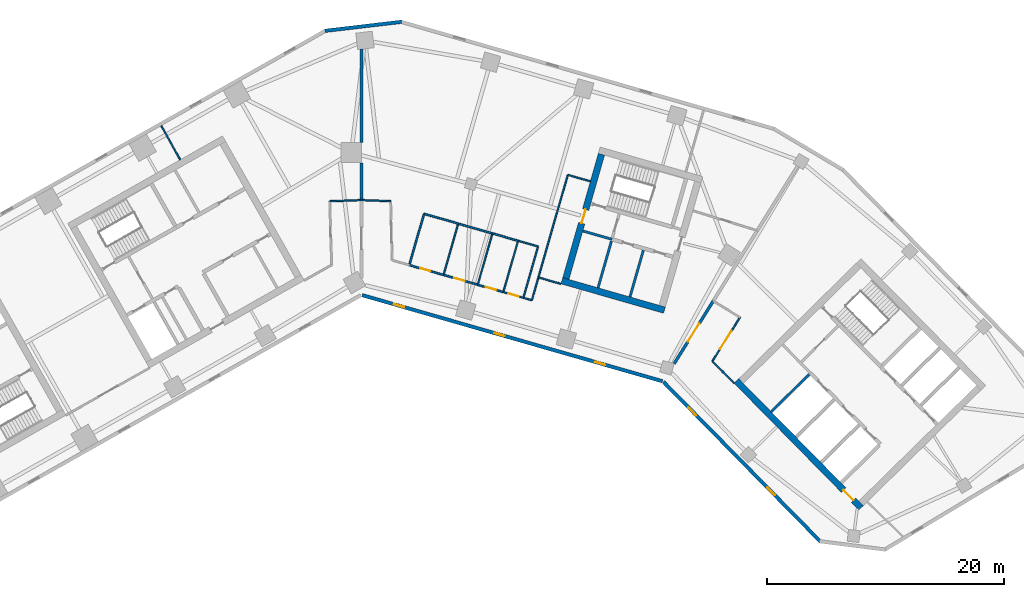
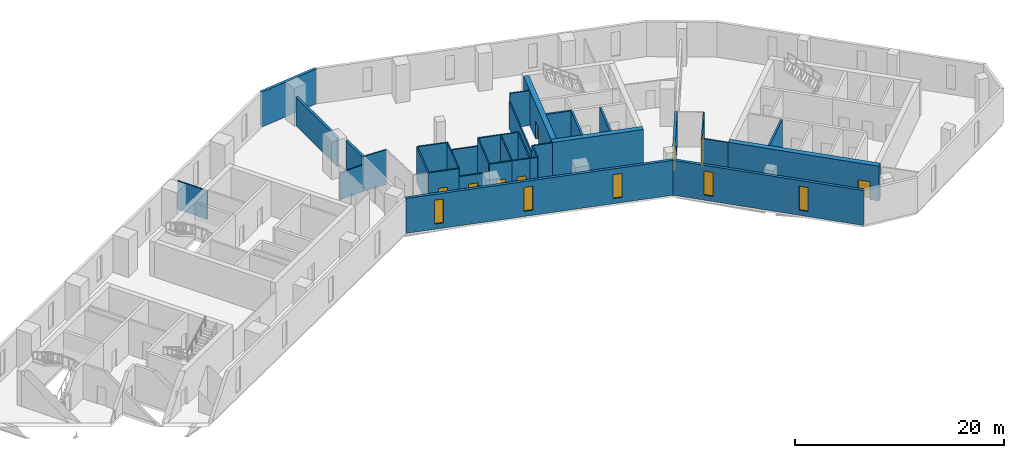
# One storey, part 5 of 10: 36 walls, 8 doors, 5 windows, 13 openings.
"""IFC4 building model written with IfcOpenShell, lengths in metres."""

from ifc_helpers import new_model, si_unit, direction, frame, frame_2d, origin, place, context, subcontext, project, spatial, rectangle, extrude, material, layer, layer_set, type_object, element, fill, save


model = new_model("IFC4")

# Units and contexts
model_context = context("Model", 3, precision=1e-05, world=origin(), true_north=direction((0.0, 1.0)))
body_context = subcontext(model_context, "Body", "Model", "MODEL_VIEW")
ifc_project = project(units=[si_unit("LENGTHUNIT", "METRE"), si_unit("AREAUNIT", "SQUARE_METRE"), si_unit("VOLUMEUNIT", "CUBIC_METRE"), si_unit("PLANEANGLEUNIT", "RADIAN"), si_unit("MASSUNIT", "GRAM", prefix="KILO")], contexts=[model_context])

# Site, building, storey
site_placement = place(None, origin())
site = spatial("IfcSite", under=ifc_project, at=site_placement, CompositionType="ELEMENT")
building_placement = place(site_placement, origin())
building = spatial("IfcBuilding", under=site, at=building_placement, Name="Binnacle Exchange Tower", CompositionType="ELEMENT")
storey_placement = place(building_placement, frame((0.0, 0.0, 127.89990234375)))
storey = spatial("IfcBuildingStorey", under=building, at=storey_placement, Name="L26", CompositionType="ELEMENT", Elevation=127.89990234375)

# Wall
ifc_material_1 = material(Name="Gypsum partition fire rated")
ifc_layer_1 = layer(ifc_material_1, 0.199951171875)
ifc_layer_set_1 = layer_set([ifc_layer_1], Name="Core partition 200")
wall_type_1 = type_object("IfcWallType", Name="Core partition 200", PredefinedType="PARTITIONING", material=ifc_layer_set_1)
wall_1_placement = place(storey_placement, frame((22.65087890625, 47.835205078125, 0.0), z_axis=(0.0, 0.0, 1.0), x_axis=(0.275625388668, 0.961265127383, 0.0)))
element("IfcWall", 1, at=wall_1_placement, inside=storey, type_object=wall_type_1, Name="Core wall CRWD10", PredefinedType="PARTITIONING", context=body_context, shape_type="SweptSolid", body=[
    extrude(rectangle(XDim=4.100341796875, YDim=0.199951171875, at=frame_2d((2.05029296875, 0.0))), origin(), (0.0, 0.0, 1.0), 4.080078125),
])

# Wall, opening, door
ifc_material_2 = material(Name="Concrete C70/85", Category="concrete")
ifc_layer_2 = layer(ifc_material_2, 0.550048828125)
ifc_layer_set_2 = layer_set([ifc_layer_2], Name="Core wall - outer 550")
wall_type_2 = type_object("IfcWallType", Name="Core wall - outer 550", PredefinedType="SOLIDWALL", material=ifc_layer_set_2)
wall_2_placement = place(storey_placement, frame((31.627685546875, 40.7451171875, 0.0), z_axis=(0.0, 0.0, 1.0), x_axis=(0.700911255944, -0.713248491965, 0.0)))
wall_2 = element("IfcWall", 2, at=wall_2_placement, inside=storey, type_object=wall_type_2, Name="Core wall CRWB1", PredefinedType="SOLIDWALL", context=body_context, shape_type="SweptSolid", body=[
    extrude(rectangle(XDim=15.0, YDim=0.550048828125, at=frame_2d((7.5, 0.0))), origin(), (0.0, 0.0, 1.0), 4.080078125),
])
opening_1_placement = place(wall_2_placement, frame((12.89990234375, 0.0, 0.0)))
opening_1 = element("IfcOpeningElement", 3, at=opening_1_placement, cuts=wall_2, Name="Opening DB7", PredefinedType="OPENING", context=body_context, shape_type="SweptSolid", body=[
    extrude(rectangle(XDim=1.199951171875, YDim=2.10009765625, at=frame_2d((0.60009765625, 1.050048828125))), frame((0.0, 0.284912109375, 0.0), z_axis=(0.0, -1.0, 0.0), x_axis=(1.0, 0.0, 0.0)), (0.0, 0.0, 1.0), 0.570068359375),
])
ifc_material_3 = material(Name="Steel door leaf", Category="steel")
door_type_1 = type_object("IfcDoorType", Name="Fire door 1200", OperationType="NOTDEFINED", PredefinedType="DOOR", material=ifc_material_3)
door_1_placement = place(opening_1_placement, frame((1.199951171875, 0.0, 0.0), z_axis=(0.0, 0.0, 1.0), x_axis=(-1.0, 0.0, 0.0)))
door_1 = element("IfcDoor", 4, at=door_1_placement, inside=storey, type_object=door_type_1, Name="Lift lobby entrance door core B", OperationType="SINGLE_SWING_LEFT", OverallHeight=2.10009765625, OverallWidth=1.199951171875, PredefinedType="DOOR", context=body_context, shape_type="SweptSolid", body=[
    extrude(rectangle(XDim=1.199951171875, YDim=2.10009765625, at=frame_2d((0.60009765625, 1.050048828125))), frame((0.0, 0.02490234375, 0.0), z_axis=(0.0, -1.0, 0.0), x_axis=(1.0, 0.0, 0.0)), (0.0, 0.0, 1.0), 0.050048828125),
])
fill(opening_1, door_1)

# Wall
wall_3_placement = place(storey_placement, frame((16.90380859375, 49.197265625, 0.0), z_axis=(0.0, 0.0, 1.0), x_axis=(0.96126248289, -0.275634611374, 0.0)))
element("IfcWall", 5, at=wall_3_placement, inside=storey, type_object=wall_type_2, Name="Core wall CRWD1", PredefinedType="SOLIDWALL", context=body_context, shape_type="SweptSolid", body=[
    extrude(rectangle(XDim=9.0, YDim=0.550048828125, at=frame_2d((4.5, 0.0))), origin(), (0.0, 0.0, 1.0), 4.080078125),
])

# Wall, opening, door
wall_4_placement = place(storey_placement, frame((17.243896484375, 49.3857421875, 0.0), z_axis=(0.0, 0.0, 1.0), x_axis=(0.275632146085, 0.96126318979, 0.0)))
wall_4 = element("IfcWall", 6, at=wall_4_placement, inside=storey, type_object=wall_type_2, Name="Core wall CRWD7", PredefinedType="SOLIDWALL", context=body_context, shape_type="SweptSolid", body=[
    extrude(rectangle(XDim=10.89990234375, YDim=0.550048828125, at=frame_2d((5.449951171875, 0.0))), origin(), (0.0, 0.0, 1.0), 4.080078125),
])
opening_2_placement = place(wall_4_placement, frame((4.85009765625, 0.0, 0.0)))
opening_2 = element("IfcOpeningElement", 7, at=opening_2_placement, cuts=wall_4, Name="Opening DD5", PredefinedType="OPENING", context=body_context, shape_type="SweptSolid", body=[
    extrude(rectangle(XDim=1.199951171875, YDim=2.10009765625, at=frame_2d((0.60009765625, 1.050048828125))), frame((0.0, 0.284912109375, 0.0), z_axis=(0.0, -1.0, 0.0), x_axis=(1.0, 0.0, 0.0)), (0.0, 0.0, 1.0), 0.570068359375),
])
door_2_placement = place(opening_2_placement, origin())
door_2 = element("IfcDoor", 8, at=door_2_placement, inside=storey, type_object=door_type_1, Name="Vestibule exit door VEST-W", OperationType="SINGLE_SWING_RIGHT", OverallHeight=2.10009765625, OverallWidth=1.199951171875, PredefinedType="DOOR", context=body_context, shape_type="SweptSolid", body=[
    extrude(rectangle(XDim=1.199951171875, YDim=2.10009765625, at=frame_2d((0.60009765625, 1.050048828125))), frame((0.0, 0.02490234375, 0.0), z_axis=(0.0, -1.0, 0.0), x_axis=(1.0, 0.0, 0.0)), (0.0, 0.0, 1.0), 0.050048828125),
])
fill(opening_2, door_2)

# Wall
ifc_material_4 = material(Name="Bronze aluminium cladding", Category="aluminium")
ifc_layer_3 = layer(ifc_material_4, 0.300048828125)
ifc_layer_set_3 = layer_set([ifc_layer_3], Name="External wall - spandrel 300")
wall_type_3 = type_object("IfcWallType", Name="External wall - spandrel 300", PredefinedType="STANDARD", material=ifc_layer_set_3)
wall_5_placement = place(storey_placement, frame((-3.076171875, 70.27294921875, 0.0), z_axis=(0.0, 0.0, 1.0), x_axis=(0.993067743007, 0.117543429416, 0.0)))
element("IfcWall", 9, at=wall_5_placement, inside=storey, type_object=wall_type_3, Name="External wall EW-F02 L26", PredefinedType="STANDARD", context=body_context, shape_type="SweptSolid", body=[
    extrude(rectangle(XDim=6.515625, YDim=0.300048828125, at=frame_2d((3.2578125, 0.0))), origin(), (0.0, 0.0, 1.0), 4.080078125),
])

# Wall, openings, windows
wall_6_placement = place(storey_placement, frame((25.398193359375, 40.71728515625, 0.0), z_axis=(0.0, 0.0, 1.0), x_axis=(-0.961262423262, 0.275634819324, 0.0)))
wall_6 = element("IfcWall", 10, at=wall_6_placement, inside=storey, type_object=wall_type_3, Name="External wall EW-F08 L26", PredefinedType="STANDARD", context=body_context, shape_type="SweptSolid", body=[
    extrude(rectangle(XDim=26.358642578125, YDim=0.300048828125, at=frame_2d((13.17919921875, 0.0))), origin(), (0.0, 0.0, 1.0), 4.080078125),
])
opening_3_placement = place(wall_6_placement, frame((22.6640625, 0.0, 0.60009765625)))
opening_3 = element("IfcOpeningElement", 11, at=opening_3_placement, cuts=wall_6, Name="Opening WS2", PredefinedType="OPENING", context=body_context, shape_type="SweptSolid", body=[
    extrude(rectangle(XDim=0.89990234375, YDim=2.800048828125, at=frame_2d((0.449951171875, 1.39990234375))), frame((0.0, 0.159912109375, 0.0), z_axis=(0.0, -1.0, 0.0), x_axis=(1.0, 0.0, 0.0)), (0.0, 0.0, 1.0), 0.320068359375),
])
opening_4_placement = place(wall_6_placement, frame((13.843505859375, 0.0, 0.60009765625)))
opening_4 = element("IfcOpeningElement", 12, at=opening_4_placement, cuts=wall_6, Name="Opening WS2", PredefinedType="OPENING", context=body_context, shape_type="SweptSolid", body=[
    extrude(rectangle(XDim=0.89990234375, YDim=2.800048828125, at=frame_2d((0.449951171875, 1.39990234375))), frame((0.0, 0.159912109375, 0.0), z_axis=(0.0, -1.0, 0.0), x_axis=(1.0, 0.0, 0.0)), (0.0, 0.0, 1.0), 0.320068359375),
])
opening_5_placement = place(wall_6_placement, frame((5.023193359375, 0.0, 0.60009765625)))
opening_5 = element("IfcOpeningElement", 13, at=opening_5_placement, cuts=wall_6, Name="Opening WS2", PredefinedType="OPENING", context=body_context, shape_type="SweptSolid", body=[
    extrude(rectangle(XDim=0.89990234375, YDim=2.800048828125, at=frame_2d((0.449951171875, 1.39990234375))), frame((0.0, 0.159912109375, 0.0), z_axis=(0.0, -1.0, 0.0), x_axis=(1.0, 0.0, 0.0)), (0.0, 0.0, 1.0), 0.320068359375),
])
ifc_material_5 = material(Name="Bronze anodised aluminium frame", Category="aluminium")
window_type = type_object("IfcWindowType", Name="WS2 WINDOW 900x2800", PartitioningType="SINGLE_PANEL", PredefinedType="WINDOW", material=ifc_material_5)
window_1_placement = place(opening_3_placement, origin())
window_1 = element("IfcWindow", 14, at=window_1_placement, inside=storey, type_object=window_type, Name="Window WS2 L26", OverallHeight=2.800048828125, OverallWidth=0.89990234375, PartitioningType="SINGLE_PANEL", PredefinedType="WINDOW", context=body_context, shape_type="SweptSolid", body=[
    extrude(rectangle(XDim=0.89990234375, YDim=2.800048828125, at=frame_2d((0.449951171875, 1.39990234375))), frame((0.0, 0.030029296875, 0.0), z_axis=(0.0, -1.0, 0.0), x_axis=(1.0, 0.0, 0.0)), (0.0, 0.0, 1.0), 0.06005859375),
])
fill(opening_3, window_1)
window_2_placement = place(opening_4_placement, origin())
window_2 = element("IfcWindow", 15, at=window_2_placement, inside=storey, type_object=window_type, Name="Window WS2 L26", OverallHeight=2.800048828125, OverallWidth=0.89990234375, PartitioningType="SINGLE_PANEL", PredefinedType="WINDOW", context=body_context, shape_type="SweptSolid", body=[
    extrude(rectangle(XDim=0.89990234375, YDim=2.800048828125, at=frame_2d((0.449951171875, 1.39990234375))), frame((0.0, 0.030029296875, 0.0), z_axis=(0.0, -1.0, 0.0), x_axis=(1.0, 0.0, 0.0)), (0.0, 0.0, 1.0), 0.06005859375),
])
fill(opening_4, window_2)
window_3_placement = place(opening_5_placement, origin())
window_3 = element("IfcWindow", 16, at=window_3_placement, inside=storey, type_object=window_type, Name="Window WS2 L26", OverallHeight=2.800048828125, OverallWidth=0.89990234375, PartitioningType="SINGLE_PANEL", PredefinedType="WINDOW", context=body_context, shape_type="SweptSolid", body=[
    extrude(rectangle(XDim=0.89990234375, YDim=2.800048828125, at=frame_2d((0.449951171875, 1.39990234375))), frame((0.0, 0.030029296875, 0.0), z_axis=(0.0, -1.0, 0.0), x_axis=(1.0, 0.0, 0.0)), (0.0, 0.0, 1.0), 0.06005859375),
])
fill(opening_5, window_3)

wall_7_placement = place(storey_placement, frame((38.727294921875, 27.18115234375, 0.0), z_axis=(0.0, 0.0, 1.0), x_axis=(-0.700906405975, 0.713253258011, 0.0)))
wall_7 = element("IfcWall", 17, at=wall_7_placement, inside=storey, type_object=wall_type_3, Name="External wall EW-F09 L26", PredefinedType="STANDARD", context=body_context, shape_type="SweptSolid", body=[
    extrude(rectangle(XDim=18.92333984375, YDim=0.300048828125, at=frame_2d((9.461669921875, 0.0))), origin(), (0.0, 0.0, 1.0), 4.080078125),
])
opening_6_placement = place(wall_7_placement, frame((14.967041015625, 0.0, 0.60009765625)))
opening_6 = element("IfcOpeningElement", 18, at=opening_6_placement, cuts=wall_7, Name="Opening WS2", PredefinedType="OPENING", context=body_context, shape_type="SweptSolid", body=[
    extrude(rectangle(XDim=0.89990234375, YDim=2.800048828125, at=frame_2d((0.449951171875, 1.39990234375))), frame((0.0, 0.159912109375, 0.0), z_axis=(0.0, -1.0, 0.0), x_axis=(1.0, 0.0, 0.0)), (0.0, 0.0, 1.0), 0.320068359375),
])
opening_7_placement = place(wall_7_placement, frame((5.51171875, 0.0, 0.60009765625)))
opening_7 = element("IfcOpeningElement", 19, at=opening_7_placement, cuts=wall_7, Name="Opening WS2", PredefinedType="OPENING", context=body_context, shape_type="SweptSolid", body=[
    extrude(rectangle(XDim=0.89990234375, YDim=2.800048828125, at=frame_2d((0.449951171875, 1.39990234375))), frame((0.0, 0.159912109375, 0.0), z_axis=(0.0, -1.0, 0.0), x_axis=(1.0, 0.0, 0.0)), (0.0, 0.0, 1.0), 0.320068359375),
])
window_4_placement = place(opening_6_placement, origin())
window_4 = element("IfcWindow", 20, at=window_4_placement, inside=storey, type_object=window_type, Name="Window WS2 L26", OverallHeight=2.800048828125, OverallWidth=0.89990234375, PartitioningType="SINGLE_PANEL", PredefinedType="WINDOW", context=body_context, shape_type="SweptSolid", body=[
    extrude(rectangle(XDim=0.89990234375, YDim=2.800048828125, at=frame_2d((0.449951171875, 1.39990234375))), frame((0.0, 0.030029296875, 0.0), z_axis=(0.0, -1.0, 0.0), x_axis=(1.0, 0.0, 0.0)), (0.0, 0.0, 1.0), 0.06005859375),
])
fill(opening_6, window_4)
window_5_placement = place(opening_7_placement, origin())
window_5 = element("IfcWindow", 21, at=window_5_placement, inside=storey, type_object=window_type, Name="Window WS2 L26", OverallHeight=2.800048828125, OverallWidth=0.89990234375, PartitioningType="SINGLE_PANEL", PredefinedType="WINDOW", context=body_context, shape_type="SweptSolid", body=[
    extrude(rectangle(XDim=0.89990234375, YDim=2.800048828125, at=frame_2d((0.449951171875, 1.39990234375))), frame((0.0, 0.030029296875, 0.0), z_axis=(0.0, -1.0, 0.0), x_axis=(1.0, 0.0, 0.0)), (0.0, 0.0, 1.0), 0.06005859375),
])
fill(opening_7, window_5)

# Walls
ifc_material_6 = material(Name="Concrete fire wall C30/37", Category="concrete")
ifc_layer_4 = layer(ifc_material_6, 0.25)
ifc_layer_set_4 = layer_set([ifc_layer_4], Name="Fire wall - compartment 250")
wall_type_4 = type_object("IfcWallType", Name="Fire wall - compartment 250", PredefinedType="PARTITIONING", material=ifc_layer_set_4)
wall_8_placement = place(storey_placement, frame((0.0, 56.0, 0.0), z_axis=(0.0, 0.0, 1.0), x_axis=(0.0, 1.0, 0.0)))
element("IfcWall", 22, at=wall_8_placement, inside=storey, type_object=wall_type_4, Name="Fire Wall W09", PredefinedType="PARTITIONING", context=body_context, shape_type="SweptSolid", body=[
    extrude(rectangle(XDim=3.14990234375, YDim=0.25, at=frame_2d((1.574951171875, 0.0))), origin(), (0.0, 0.0, 1.0), 4.080078125),
])
wall_9_placement = place(storey_placement, frame((0.0, 60.85009765625, 0.0), z_axis=(0.0, 0.0, 1.0), x_axis=(0.0, 1.0, 0.0)))
element("IfcWall", 23, at=wall_9_placement, inside=storey, type_object=wall_type_4, Name="Fire Wall W11", PredefinedType="PARTITIONING", context=body_context, shape_type="SweptSolid", body=[
    extrude(rectangle(XDim=7.8740234375, YDim=0.25, at=frame_2d((3.93701171875, 0.0))), origin(), (0.0, 0.0, 1.0), 3.35205078125),
])

# Wall, opening, door
wall_10_placement = place(storey_placement, frame((26.373046875, 42.2060546875, 0.0), z_axis=(0.0, 0.0, 1.0), x_axis=(0.52987567935, 0.848075329457, 0.0)))
wall_10 = element("IfcWall", 24, at=wall_10_placement, inside=storey, type_object=wall_type_4, Name="Fire Wall W32", PredefinedType="PARTITIONING", context=body_context, shape_type="SweptSolid", body=[
    extrude(rectangle(XDim=6.231689453125, YDim=0.25, at=frame_2d((3.11572265625, 0.0))), origin(), (0.0, 0.0, 1.0), 4.080078125),
])
opening_8_placement = place(wall_10_placement, frame((2.199951171875, 0.0, 0.0)))
opening_8 = element("IfcOpeningElement", 25, at=opening_8_placement, cuts=wall_10, Name="Opening DL25-11", PredefinedType="OPENING", context=body_context, shape_type="SweptSolid", body=[
    extrude(rectangle(XDim=1.800048828125, YDim=2.10009765625, at=frame_2d((0.89990234375, 1.050048828125))), frame((0.0, 0.135009765625, 0.0), z_axis=(0.0, -1.0, 0.0), x_axis=(1.0, 0.0, 0.0)), (0.0, 0.0, 1.0), 0.27001953125),
])
door_type_2 = type_object("IfcDoorType", Name="Fire door 1800", OperationType="NOTDEFINED", PredefinedType="DOOR", material=ifc_material_3)
door_3_placement = place(opening_8_placement, origin())
door_3 = element("IfcDoor", 26, at=door_3_placement, inside=storey, type_object=door_type_2, Name="Door DL25-11", OperationType="DOUBLE_DOOR_SINGLE_SWING", OverallHeight=2.10009765625, OverallWidth=1.800048828125, PredefinedType="DOOR", context=body_context, shape_type="SweptSolid", body=[
    extrude(rectangle(XDim=1.800048828125, YDim=2.10009765625, at=frame_2d((0.89990234375, 1.050048828125))), frame((0.0, 0.02490234375, 0.0), z_axis=(0.0, -1.0, 0.0), x_axis=(1.0, 0.0, 0.0)), (0.0, 0.0, 1.0), 0.050048828125),
])
fill(opening_8, door_3)

# Wall
ifc_layer_5 = layer(ifc_material_1, 0.14990234375)
ifc_layer_set_5 = layer_set([ifc_layer_5], Name="Fire-rated partition 150")
wall_type_5 = type_object("IfcWallType", Name="Fire-rated partition 150", PredefinedType="PARTITIONING", material=ifc_layer_set_5)
wall_11_placement = place(storey_placement, frame((4.04296875, 50.51806640625, 0.0), z_axis=(0.0, 0.0, 1.0), x_axis=(0.275745553681, 0.96123066411, 0.0)))
element("IfcWall", 27, at=wall_11_placement, inside=storey, type_object=wall_type_5, Name="Partition W14", PredefinedType="PARTITIONING", context=body_context, shape_type="SweptSolid", body=[
    extrude(rectangle(XDim=4.50048828125, YDim=0.14990234375, at=frame_2d((2.250244140625, 0.0))), origin(), (0.0, 0.0, 1.0), 4.080078125),
])

# Wall, opening, door
wall_12_placement = place(storey_placement, frame((4.04296875, 50.51806640625, 0.0), z_axis=(0.0, 0.0, 1.0), x_axis=(0.961247103494, -0.275688240636, 0.0)))
wall_12 = element("IfcWall", 28, at=wall_12_placement, inside=storey, type_object=wall_type_5, Name="Partition W15", PredefinedType="PARTITIONING", context=body_context, shape_type="SweptSolid", body=[
    extrude(rectangle(XDim=3.000244140625, YDim=0.14990234375, at=frame_2d((1.5, 0.0))), origin(), (0.0, 0.0, 1.0), 4.080078125),
])
opening_9_placement = place(wall_12_placement, frame((0.949951171875, 0.0, 0.0)))
opening_9 = element("IfcOpeningElement", 29, at=opening_9_placement, cuts=wall_12, Name="Opening DL25-03", PredefinedType="OPENING", context=body_context, shape_type="SweptSolid", body=[
    extrude(rectangle(XDim=0.89990234375, YDim=2.10009765625, at=frame_2d((0.449951171875, 1.050048828125))), frame((0.0, 0.0849609375, 0.0), z_axis=(0.0, -1.0, 0.0), x_axis=(1.0, 0.0, 0.0)), (0.0, 0.0, 1.0), 0.169921875),
])
door_type_3 = type_object("IfcDoorType", Name="Fire door 900", OperationType="NOTDEFINED", PredefinedType="DOOR", material=ifc_material_3)
door_4_placement = place(opening_9_placement, origin())
door_4 = element("IfcDoor", 30, at=door_4_placement, inside=storey, type_object=door_type_3, Name="Door DL25-03", OperationType="SINGLE_SWING_LEFT", OverallHeight=2.10009765625, OverallWidth=0.89990234375, PredefinedType="DOOR", context=body_context, shape_type="SweptSolid", body=[
    extrude(rectangle(XDim=0.89990234375, YDim=2.10009765625, at=frame_2d((0.449951171875, 1.050048828125))), frame((0.0, 0.02490234375, 0.0), z_axis=(0.0, -1.0, 0.0), x_axis=(1.0, 0.0, 0.0)), (0.0, 0.0, 1.0), 0.050048828125),
])
fill(opening_9, door_4)

# Wall
wall_13_placement = place(storey_placement, frame((5.283935546875, 54.843994140625, 0.0), z_axis=(0.0, 0.0, 1.0), x_axis=(0.961243927922, -0.275699312717, 0.0)))
element("IfcWall", 31, at=wall_13_placement, inside=storey, type_object=wall_type_5, Name="Partition W16", PredefinedType="PARTITIONING", context=body_context, shape_type="SweptSolid", body=[
    extrude(rectangle(XDim=2.999267578125, YDim=0.14990234375, at=frame_2d((1.49951171875, 0.0))), origin(), (0.0, 0.0, 1.0), 4.080078125),
])

# Wall, opening, door
wall_14_placement = place(storey_placement, frame((6.927001953125, 49.69091796875, 0.0), z_axis=(0.0, 0.0, 1.0), x_axis=(0.961268664977, -0.27561305073, 0.0)))
wall_14 = element("IfcWall", 32, at=wall_14_placement, inside=storey, type_object=wall_type_5, Name="Partition W18", PredefinedType="PARTITIONING", context=body_context, shape_type="SweptSolid", body=[
    extrude(rectangle(XDim=3.000244140625, YDim=0.14990234375, at=frame_2d((1.5, 0.0))), origin(), (0.0, 0.0, 1.0), 3.14208984375),
])
opening_10_placement = place(wall_14_placement, frame((0.949951171875, 0.0, 0.0)))
opening_10 = element("IfcOpeningElement", 33, at=opening_10_placement, cuts=wall_14, Name="Opening DL25-04", PredefinedType="OPENING", context=body_context, shape_type="SweptSolid", body=[
    extrude(rectangle(XDim=0.89990234375, YDim=2.10009765625, at=frame_2d((0.449951171875, 1.050048828125))), frame((0.0, 0.0849609375, 0.0), z_axis=(0.0, -1.0, 0.0), x_axis=(1.0, 0.0, 0.0)), (0.0, 0.0, 1.0), 0.169921875),
])
door_5_placement = place(opening_10_placement, origin())
door_5 = element("IfcDoor", 34, at=door_5_placement, inside=storey, type_object=door_type_3, Name="Door DL25-04", OperationType="SINGLE_SWING_LEFT", OverallHeight=2.10009765625, OverallWidth=0.89990234375, PredefinedType="DOOR", context=body_context, shape_type="SweptSolid", body=[
    extrude(rectangle(XDim=0.89990234375, YDim=2.10009765625, at=frame_2d((0.449951171875, 1.050048828125))), frame((0.0, 0.02490234375, 0.0), z_axis=(0.0, -1.0, 0.0), x_axis=(1.0, 0.0, 0.0)), (0.0, 0.0, 1.0), 0.050048828125),
])
fill(opening_10, door_5)

# Wall
wall_15_placement = place(storey_placement, frame((8.1669921875, 54.01708984375, 0.0), z_axis=(0.0, 0.0, 1.0), x_axis=(0.961247103494, -0.275688240636, 0.0)))
element("IfcWall", 35, at=wall_15_placement, inside=storey, type_object=wall_type_5, Name="Partition W19", PredefinedType="PARTITIONING", context=body_context, shape_type="SweptSolid", body=[
    extrude(rectangle(XDim=3.000244140625, YDim=0.14990234375, at=frame_2d((1.5, 0.0))), origin(), (0.0, 0.0, 1.0), 3.14208984375),
])

# Wall, opening, door
wall_16_placement = place(storey_placement, frame((9.81103515625, 48.864013671875, 0.0), z_axis=(0.0, 0.0, 1.0), x_axis=(0.961236680145, -0.275724581318, 0.0)))
wall_16 = element("IfcWall", 36, at=wall_16_placement, inside=storey, type_object=wall_type_5, Name="Partition W21", PredefinedType="PARTITIONING", context=body_context, shape_type="SweptSolid", body=[
    extrude(rectangle(XDim=2.2490234375, YDim=0.14990234375, at=frame_2d((1.12451171875, 0.0))), origin(), (0.0, 0.0, 1.0), 4.080078125),
])
opening_11_placement = place(wall_16_placement, frame((0.699951171875, 0.0, 0.0)))
opening_11 = element("IfcOpeningElement", 37, at=opening_11_placement, cuts=wall_16, Name="Opening DL25-05", PredefinedType="OPENING", context=body_context, shape_type="SweptSolid", body=[
    extrude(rectangle(XDim=0.89990234375, YDim=2.10009765625, at=frame_2d((0.449951171875, 1.050048828125))), frame((0.0, 0.0849609375, 0.0), z_axis=(0.0, -1.0, 0.0), x_axis=(1.0, 0.0, 0.0)), (0.0, 0.0, 1.0), 0.169921875),
])
door_6_placement = place(opening_11_placement, origin())
door_6 = element("IfcDoor", 38, at=door_6_placement, inside=storey, type_object=door_type_3, Name="Door DL25-05", OperationType="SINGLE_SWING_RIGHT", OverallHeight=2.10009765625, OverallWidth=0.89990234375, PredefinedType="DOOR", context=body_context, shape_type="SweptSolid", body=[
    extrude(rectangle(XDim=0.89990234375, YDim=2.10009765625, at=frame_2d((0.449951171875, 1.050048828125))), frame((0.0, 0.02490234375, 0.0), z_axis=(0.0, -1.0, 0.0), x_axis=(1.0, 0.0, 0.0)), (0.0, 0.0, 1.0), 0.050048828125),
])
fill(opening_11, door_6)

# Walls
wall_17_placement = place(storey_placement, frame((11.051025390625, 53.18994140625, 0.0), z_axis=(0.0, 0.0, 1.0), x_axis=(0.961306648438, -0.275480539547, 0.0)))
element("IfcWall", 39, at=wall_17_placement, inside=storey, type_object=wall_type_5, Name="Partition W22", PredefinedType="PARTITIONING", context=body_context, shape_type="SweptSolid", body=[
    extrude(rectangle(XDim=2.250244140625, YDim=0.14990234375, at=frame_2d((1.125, 0.0))), origin(), (0.0, 0.0, 1.0), 4.080078125),
])
ifc_material_7 = material(Name="Gypsum partition")
ifc_layer_6 = layer(ifc_material_7, 0.125)
ifc_layer_set_6 = layer_set([ifc_layer_6], Name="Partition 125")
wall_type_6 = type_object("IfcWallType", Name="Partition 125", PredefinedType="PARTITIONING", material=ifc_layer_set_6)
wall_18_placement = place(storey_placement, frame((-16.87890625, 62.278076171875, 0.0), z_axis=(0.0, 0.0, 1.0), x_axis=(0.486580163018, -0.873635933875, 0.0)))
element("IfcWall", 40, at=wall_18_placement, inside=storey, type_object=wall_type_6, Name="Partition W04", PredefinedType="PARTITIONING", context=body_context, shape_type="SweptSolid", body=[
    extrude(rectangle(XDim=3.29443359375, YDim=0.125, at=frame_2d((1.647216796875, 0.0))), origin(), (0.0, 0.0, 1.0), 3.360107421875),
])
wall_19_placement = place(storey_placement, frame((-2.669921875, 55.904052734375, 0.0), z_axis=(0.0, 0.0, 1.0), x_axis=(0.999354913865, 0.03591317494, 0.0)))
element("IfcWall", 41, at=wall_19_placement, inside=storey, type_object=wall_type_6, Name="Partition W07", PredefinedType="PARTITIONING", context=body_context, shape_type="SweptSolid", body=[
    extrude(rectangle(XDim=2.671630859375, YDim=0.125, at=frame_2d((1.3359375, 0.0))), origin(), (0.0, 0.0, 1.0), 3.14208984375),
])
wall_20_placement = place(storey_placement, frame((0.0, 56.0, 0.0), z_axis=(0.0, 0.0, 1.0), x_axis=(0.999349313684, -0.036068673934, 0.0)))
element("IfcWall", 42, at=wall_20_placement, inside=storey, type_object=wall_type_6, Name="Partition W10", PredefinedType="PARTITIONING", context=body_context, shape_type="SweptSolid", body=[
    extrude(rectangle(XDim=2.470703125, YDim=0.125, at=frame_2d((1.2353515625, 0.0))), origin(), (0.0, 0.0, 1.0), 4.080078125),
])
wall_21_placement = place(storey_placement, frame((6.927001953125, 49.69091796875, 0.0), z_axis=(0.0, 0.0, 1.0), x_axis=(0.275530671241, 0.961292280841, 0.0)))
element("IfcWall", 43, at=wall_21_placement, inside=storey, type_object=wall_type_6, Name="Partition W17", PredefinedType="PARTITIONING", context=body_context, shape_type="SweptSolid", body=[
    extrude(rectangle(XDim=4.50048828125, YDim=0.125, at=frame_2d((2.250244140625, 0.0))), origin(), (0.0, 0.0, 1.0), 4.080078125),
])
wall_22_placement = place(storey_placement, frame((9.81103515625, 48.864013671875, 0.0), z_axis=(0.0, 0.0, 1.0), x_axis=(0.275545040649, 0.96128816209, 0.0)))
element("IfcWall", 44, at=wall_22_placement, inside=storey, type_object=wall_type_6, Name="Partition W20", PredefinedType="PARTITIONING", context=body_context, shape_type="SweptSolid", body=[
    extrude(rectangle(XDim=4.500244140625, YDim=0.125, at=frame_2d((2.25, 0.0))), origin(), (0.0, 0.0, 1.0), 4.080078125),
])
wall_23_placement = place(storey_placement, frame((11.972900390625, 48.243896484375, 0.0), z_axis=(0.0, 0.0, 1.0), x_axis=(0.275781295989, 0.961220410095, 0.0)))
element("IfcWall", 45, at=wall_23_placement, inside=storey, type_object=wall_type_6, Name="Partition W23", PredefinedType="PARTITIONING", context=body_context, shape_type="SweptSolid", body=[
    extrude(rectangle(XDim=4.500732421875, YDim=0.125, at=frame_2d((2.25048828125, 0.0))), origin(), (0.0, 0.0, 1.0), 4.080078125),
])

# Wall, opening, door
wall_24_placement = place(storey_placement, frame((11.972900390625, 48.243896484375, 0.0), z_axis=(0.0, 0.0, 1.0), x_axis=(0.96136592135, -0.275273618907, 0.0)))
wall_24 = element("IfcWall", 46, at=wall_24_placement, inside=storey, type_object=wall_type_6, Name="Partition W24", PredefinedType="PARTITIONING", context=body_context, shape_type="SweptSolid", body=[
    extrude(rectangle(XDim=1.750732421875, YDim=0.125, at=frame_2d((0.87548828125, 0.0))), origin(), (0.0, 0.0, 1.0), 4.080078125),
])
opening_12_placement = place(wall_24_placement, frame((0.449951171875, 0.0, 0.0)))
opening_12 = element("IfcOpeningElement", 47, at=opening_12_placement, cuts=wall_24, Name="Opening DL25-06", PredefinedType="OPENING", context=body_context, shape_type="SweptSolid", body=[
    extrude(rectangle(XDim=0.89990234375, YDim=2.10009765625, at=frame_2d((0.449951171875, 1.050048828125))), frame((0.0, 0.072509765625, 0.0), z_axis=(0.0, -1.0, 0.0), x_axis=(1.0, 0.0, 0.0)), (0.0, 0.0, 1.0), 0.14501953125),
])
ifc_material_8 = material(Name="Timber door leaf", Category="wood")
door_type_4 = type_object("IfcDoorType", Name="Door 900", OperationType="NOTDEFINED", PredefinedType="DOOR", material=ifc_material_8)
door_7_placement = place(opening_12_placement, origin())
door_7 = element("IfcDoor", 48, at=door_7_placement, inside=storey, type_object=door_type_4, Name="Door DL25-06", OperationType="SINGLE_SWING_RIGHT", OverallHeight=2.10009765625, OverallWidth=0.89990234375, PredefinedType="DOOR", context=body_context, shape_type="SweptSolid", body=[
    extrude(rectangle(XDim=0.89990234375, YDim=2.10009765625, at=frame_2d((0.449951171875, 1.050048828125))), frame((0.0, 0.02490234375, 0.0), z_axis=(0.0, -1.0, 0.0), x_axis=(1.0, 0.0, 0.0)), (0.0, 0.0, 1.0), 0.050048828125),
])
fill(opening_12, door_7)

# Walls
wall_25_placement = place(storey_placement, frame((13.214111328125, 52.570068359375, 0.0), z_axis=(0.0, 0.0, 1.0), x_axis=(0.961276075309, -0.275587204055, 0.0)))
element("IfcWall", 49, at=wall_25_placement, inside=storey, type_object=wall_type_6, Name="Partition W25", PredefinedType="PARTITIONING", context=body_context, shape_type="SweptSolid", body=[
    extrude(rectangle(XDim=1.749755859375, YDim=0.125, at=frame_2d((0.875, 0.0))), origin(), (0.0, 0.0, 1.0), 4.080078125),
])
wall_26_placement = place(storey_placement, frame((13.656005859375, 47.761962890625, 0.0), z_axis=(0.0, 0.0, 1.0), x_axis=(0.961154610169, -0.276010534854, 0.0)))
element("IfcWall", 50, at=wall_26_placement, inside=storey, type_object=wall_type_6, Name="Partition W26", PredefinedType="PARTITIONING", context=body_context, shape_type="SweptSolid", body=[
    extrude(rectangle(XDim=0.75, YDim=0.125, at=frame_2d((0.375, 0.0))), origin(), (0.0, 0.0, 1.0), 4.080078125),
])
wall_27_placement = place(storey_placement, frame((13.656005859375, 47.761962890625, 0.0), z_axis=(0.0, 0.0, 1.0), x_axis=(0.275545040649, 0.96128816209, 0.0)))
element("IfcWall", 51, at=wall_27_placement, inside=storey, type_object=wall_type_6, Name="Partition W27", PredefinedType="PARTITIONING", context=body_context, shape_type="SweptSolid", body=[
    extrude(rectangle(XDim=4.500244140625, YDim=0.125, at=frame_2d((2.25, 0.0))), origin(), (0.0, 0.0, 1.0), 4.080078125),
])
wall_28_placement = place(storey_placement, frame((14.376953125, 47.554931640625, 0.0), z_axis=(0.0, 0.0, 1.0), x_axis=(0.275446387355, 0.961316434736, 0.0)))
element("IfcWall", 52, at=wall_28_placement, inside=storey, type_object=wall_type_6, Name="Partition W28", PredefinedType="PARTITIONING", context=body_context, shape_type="SweptSolid", body=[
    extrude(rectangle(XDim=2.00048828125, YDim=0.125, at=frame_2d((1.000244140625, 0.0))), origin(), (0.0, 0.0, 1.0), 4.080078125),
])
wall_29_placement = place(storey_placement, frame((14.927978515625, 49.47802734375, 0.0), z_axis=(0.0, 0.0, 1.0), x_axis=(0.961243778232, -0.27569983462, 0.0)))
element("IfcWall", 53, at=wall_29_placement, inside=storey, type_object=wall_type_6, Name="Partition W29", PredefinedType="PARTITIONING", context=body_context, shape_type="SweptSolid", body=[
    extrude(rectangle(XDim=1.9765625, YDim=0.125, at=frame_2d((0.98828125, 0.0))), origin(), (0.0, 0.0, 1.0), 4.080078125),
])
wall_30_placement = place(storey_placement, frame((14.927978515625, 49.47802734375, 0.0), z_axis=(0.0, 0.0, 1.0), x_axis=(0.275674053528, 0.961251172281, 0.0)))
element("IfcWall", 54, at=wall_30_placement, inside=storey, type_object=wall_type_6, Name="Partition W30", PredefinedType="PARTITIONING", context=body_context, shape_type="SweptSolid", body=[
    extrude(rectangle(XDim=8.99951171875, YDim=0.125, at=frame_2d((4.499755859375, 0.0))), origin(), (0.0, 0.0, 1.0), 3.14208984375),
])
wall_31_placement = place(storey_placement, frame((17.408935546875, 58.12890625, 0.0), z_axis=(0.0, 0.0, 1.0), x_axis=(0.961253165474, -0.275667103345, 0.0)))
element("IfcWall", 55, at=wall_31_placement, inside=storey, type_object=wall_type_6, Name="Partition W31", PredefinedType="PARTITIONING", context=body_context, shape_type="SweptSolid", body=[
    extrude(rectangle(XDim=1.976806640625, YDim=0.125, at=frame_2d((0.98828125, 0.0))), origin(), (0.0, 0.0, 1.0), 4.080078125),
])
wall_32_placement = place(storey_placement, frame((29.60009765625, 42.416015625, 0.0), z_axis=(0.0, 0.0, 1.0), x_axis=(0.700914320664, -0.713245480244, 0.0)))
element("IfcWall", 56, at=wall_32_placement, inside=storey, type_object=wall_type_6, Name="Partition W35", PredefinedType="PARTITIONING", context=body_context, shape_type="SweptSolid", body=[
    extrude(rectangle(XDim=2.613525390625, YDim=0.125, at=frame_2d((1.306640625, 0.0))), origin(), (0.0, 0.0, 1.0), 4.080078125),
])

# Wall, opening, door
wall_33_placement = place(storey_placement, frame((29.60009765625, 42.416015625, 0.0), z_axis=(0.0, 0.0, 1.0), x_axis=(0.533582711531, 0.84574788794, 0.0)))
wall_33 = element("IfcWall", 57, at=wall_33_placement, inside=storey, type_object=wall_type_6, Name="Partition W36", PredefinedType="PARTITIONING", context=body_context, shape_type="SweptSolid", body=[
    extrude(rectangle(XDim=4.366455078125, YDim=0.125, at=frame_2d((2.18310546875, 0.0))), origin(), (0.0, 0.0, 1.0), 4.080078125),
])
opening_13_placement = place(wall_33_placement, frame((1.199951171875, 0.0, 0.0)))
opening_13 = element("IfcOpeningElement", 58, at=opening_13_placement, cuts=wall_33, Name="Opening DL25-09", PredefinedType="OPENING", context=body_context, shape_type="SweptSolid", body=[
    extrude(rectangle(XDim=1.800048828125, YDim=2.10009765625, at=frame_2d((0.89990234375, 1.050048828125))), frame((0.0, 0.072509765625, 0.0), z_axis=(0.0, -1.0, 0.0), x_axis=(1.0, 0.0, 0.0)), (0.0, 0.0, 1.0), 0.14501953125),
])
door_type_5 = type_object("IfcDoorType", Name="Double door 1800", OperationType="NOTDEFINED", PredefinedType="DOOR", material=ifc_material_8)
door_8_placement = place(opening_13_placement, frame((1.800048828125, 0.0, 0.0), z_axis=(0.0, 0.0, 1.0), x_axis=(-1.0, 0.0, 0.0)))
door_8 = element("IfcDoor", 59, at=door_8_placement, inside=storey, type_object=door_type_5, Name="Door DL25-09", OperationType="DOUBLE_DOOR_SINGLE_SWING", OverallHeight=2.10009765625, OverallWidth=1.800048828125, PredefinedType="DOOR", context=body_context, shape_type="SweptSolid", body=[
    extrude(rectangle(XDim=1.800048828125, YDim=2.10009765625, at=frame_2d((0.89990234375, 1.050048828125))), frame((0.0, 0.02490234375, 0.0), z_axis=(0.0, -1.0, 0.0), x_axis=(1.0, 0.0, 0.0)), (0.0, 0.0, 1.0), 0.050048828125),
])
fill(opening_13, door_8)

# Walls
ifc_material_9 = material(Name="Masonry block wall", Category="masonry")
ifc_layer_7 = layer(ifc_material_9, 0.199951171875)
ifc_layer_set_7 = layer_set([ifc_layer_7], Name="Riser wall 200")
wall_type_7 = type_object("IfcWallType", Name="Riser wall 200", PredefinedType="SOLIDWALL", material=ifc_layer_set_7)
wall_34_placement = place(storey_placement, frame((34.5576171875, 38.15625, 0.0), z_axis=(0.0, 0.0, 1.0), x_axis=(0.713237924006, 0.700922009755, 0.0)))
element("IfcWall", 60, at=wall_34_placement, inside=storey, type_object=wall_type_7, Name="Core wall CRWB9", PredefinedType="SOLIDWALL", context=body_context, shape_type="SweptSolid", body=[
    extrude(rectangle(XDim=4.499755859375, YDim=0.199951171875, at=frame_2d((2.25, 0.0))), origin(), (0.0, 0.0, 1.0), 4.080078125),
])
wall_35_placement = place(storey_placement, frame((18.6796875, 53.3955078125, 0.0), z_axis=(0.0, 0.0, 1.0), x_axis=(0.961234387647, -0.275732573349, 0.0)))
element("IfcWall", 61, at=wall_35_placement, inside=storey, type_object=wall_type_7, Name="Core wall CRWD2", PredefinedType="SOLIDWALL", context=body_context, shape_type="SweptSolid", body=[
    extrude(rectangle(XDim=2.550048828125, YDim=0.199951171875, at=frame_2d((1.27490234375, 0.0))), origin(), (0.0, 0.0, 1.0), 4.080078125),
])
wall_36_placement = place(storey_placement, frame((19.95947265625, 48.607177734375, 0.0), z_axis=(0.0, 0.0, 1.0), x_axis=(0.275641165445, 0.961260603537, 0.0)))
element("IfcWall", 62, at=wall_36_placement, inside=storey, type_object=wall_type_7, Name="Core wall CRWD8", PredefinedType="SOLIDWALL", context=body_context, shape_type="SweptSolid", body=[
    extrude(rectangle(XDim=4.10009765625, YDim=0.199951171875, at=frame_2d((2.050048828125, 0.0))), origin(), (0.0, 0.0, 1.0), 4.080078125),
])

save(model, "model.ifc")
